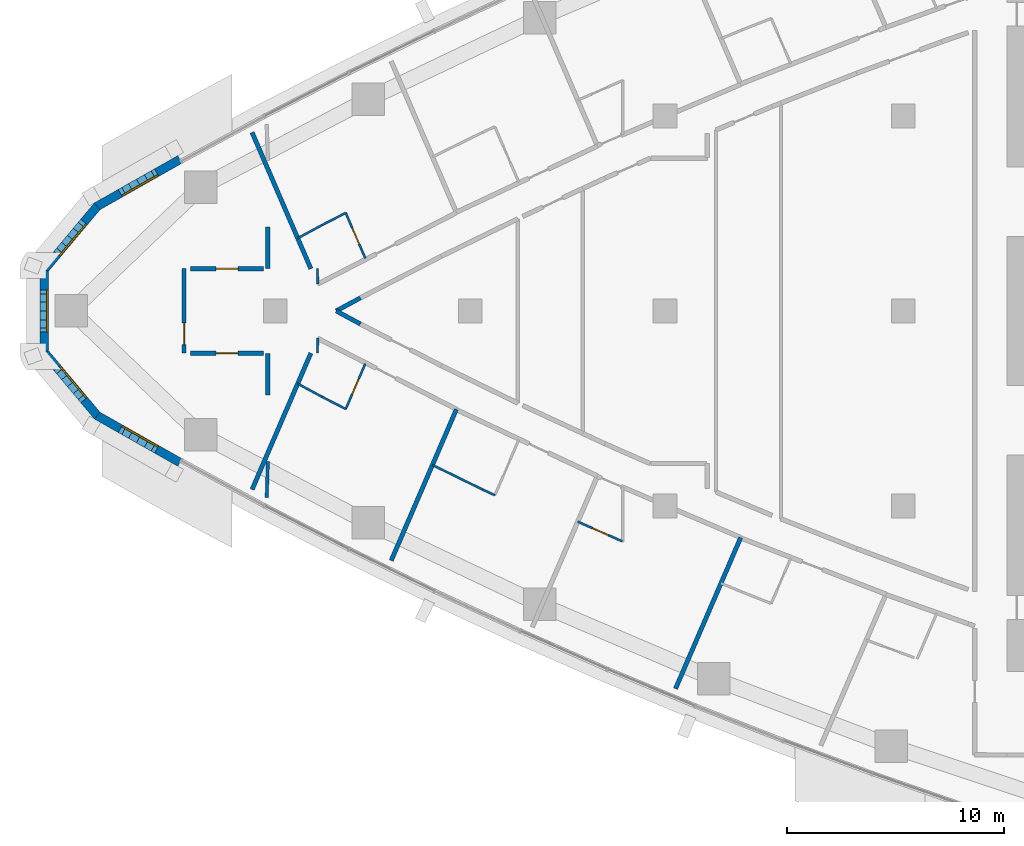
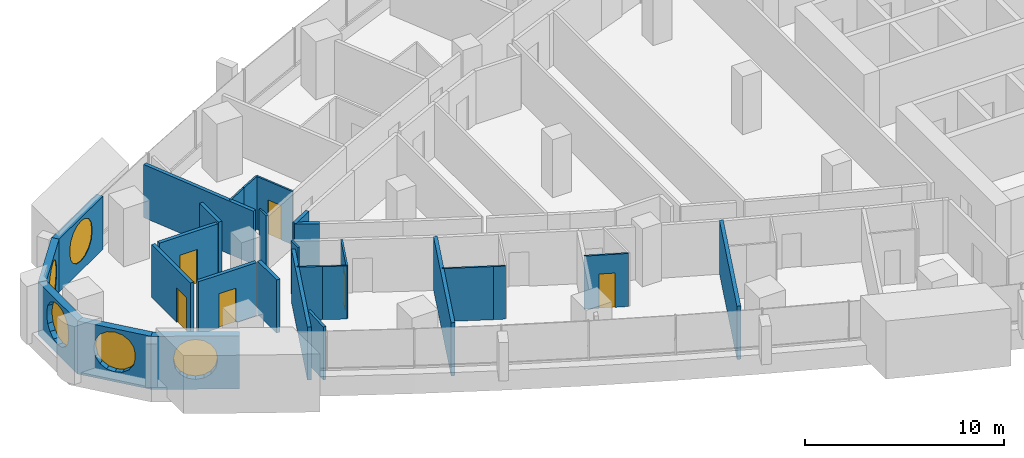
# One storey, part 8 of 17: 28 walls, 6 doors, 5 windows, 11 openings.
"""IFC4 building model written with IfcOpenShell, lengths in metres."""

from ifc_helpers import new_model, si_unit, direction, frame, frame_2d, origin, place, context, subcontext, project, spatial, polyline, rectangle, outline, extrude, material, layer, layer_set, type_object, element, fill, save


model = new_model("IFC4")

# Units and contexts
model_context = context("Model", 3, precision=1e-05, world=origin(), true_north=direction((0.0, 1.0)))
body_context = subcontext(model_context, "Body", "Model", "MODEL_VIEW")
ifc_project = project(units=[si_unit("LENGTHUNIT", "METRE"), si_unit("AREAUNIT", "SQUARE_METRE"), si_unit("VOLUMEUNIT", "CUBIC_METRE"), si_unit("PLANEANGLEUNIT", "RADIAN"), si_unit("MASSUNIT", "GRAM", prefix="KILO")], contexts=[model_context])

# Site, building, storey
site_placement = place(None, origin())
site = spatial("IfcSite", under=ifc_project, at=site_placement, CompositionType="ELEMENT")
building_placement = place(site_placement, origin())
building = spatial("IfcBuilding", under=site, at=building_placement, Name="Ostrand Prow Hotel Tower", CompositionType="ELEMENT")
storey_placement = place(building_placement, frame((0.0, 0.0, 140.85009765625)))
storey = spatial("IfcBuildingStorey", under=building, at=storey_placement, Name="L34", CompositionType="ELEMENT", Elevation=140.85009765625)

# Walls
ifc_material_1 = material(Name="Plasterboard partition")
ifc_layer_1 = layer(ifc_material_1, 0.10009765625)
ifc_layer_set_1 = layer_set([ifc_layer_1], Name="Plasterboard partition")
wall_type_1 = type_object("IfcWallType", Name="Partition 100 bathroom wall", PredefinedType="PARTITIONING", material=ifc_layer_set_1)
wall_1_placement = place(storey_placement, frame((17.03564453125, 3.3583984375, 0.0), z_axis=(0.0, 0.0, 1.0), x_axis=(0.879823588489, 0.475300382009, 0.0)))
element("IfcWall", 1, at=wall_1_placement, inside=storey, type_object=wall_type_1, Name="BATHROOM WALL", PredefinedType="PARTITIONING", context=body_context, shape_type="SweptSolid", body=[
    extrude(rectangle(XDim=1.27294921875, YDim=0.10009765625, at=frame_2d((0.636474609375, 0.0))), origin(), (0.0, 0.0, 1.0), 3.25),
])
wall_2_placement = place(storey_placement, frame((18.155517578125, 3.96337890625, 0.0), z_axis=(0.0, 0.0, 1.0), x_axis=(0.889106231322, 0.457700895154, 0.0)))
element("IfcWall", 2, at=wall_2_placement, inside=storey, type_object=wall_type_1, Name="BATHROOM WALL", PredefinedType="PARTITIONING", context=body_context, shape_type="SweptSolid", body=[
    extrude(rectangle(XDim=1.23486328125, YDim=0.10009765625, at=frame_2d((0.617431640625, 0.0))), origin(), (0.0, 0.0, 1.0), 3.25),
])

# Wall, opening, door
wall_3_placement = place(storey_placement, frame((19.253662109375, 4.528564453125, 0.0), z_axis=(0.0, 0.0, 1.0), x_axis=(0.395958457437, -0.9182684248, 0.0)))
wall_3 = element("IfcWall", 3, at=wall_3_placement, inside=storey, type_object=wall_type_1, Name="BATHROOM WALL", PredefinedType="PARTITIONING", context=body_context, shape_type="SweptSolid", body=[
    extrude(rectangle(XDim=2.281982421875, YDim=0.10009765625, at=frame_2d((1.14111328125, 0.0))), origin(), (0.0, 0.0, 1.0), 3.25),
])
opening_1_placement = place(wall_3_placement, frame((0.75, 0.0, 0.0)))
opening_1 = element("IfcOpeningElement", 4, at=opening_1_placement, cuts=wall_3, Name="Opening D2", PredefinedType="OPENING", context=body_context, shape_type="SweptSolid", body=[
    extrude(rectangle(XDim=0.800048828125, YDim=2.10009765625, at=frame_2d((0.39990234375, 1.050048828125))), frame((0.0, 0.06005859375, 0.0), z_axis=(0.0, -1.0, 0.0), x_axis=(1.0, 0.0, 0.0)), (0.0, 0.0, 1.0), 0.1201171875),
])
ifc_material_2 = material(Name="Timber door leaf", Category="wood")
door_type_1 = type_object("IfcDoorType", Name="Bathroom door 800", OperationType="SINGLE_SWING_LEFT", PredefinedType="DOOR", material=ifc_material_2)
door_1_placement = place(opening_1_placement, origin())
door_1 = element("IfcDoor", 5, at=door_1_placement, inside=storey, type_object=door_type_1, Name="DOOR", OperationType="SINGLE_SWING_LEFT", OverallHeight=2.10009765625, OverallWidth=0.800048828125, PredefinedType="DOOR", context=body_context, shape_type="SweptSolid", body=[
    extrude(rectangle(XDim=0.800048828125, YDim=2.10009765625, at=frame_2d((0.39990234375, 1.050048828125))), frame((0.0, 0.02490234375, 0.0), z_axis=(0.0, -1.0, 0.0), x_axis=(1.0, 0.0, 0.0)), (0.0, 0.0, 1.0), 0.050048828125),
])
fill(opening_1, door_1)

wall_4_placement = place(storey_placement, frame((20.1572265625, -2.43310546875, 0.0), z_axis=(0.0, 0.0, 1.0), x_axis=(-0.395958457437, -0.9182684248, 0.0)))
wall_4 = element("IfcWall", 6, at=wall_4_placement, inside=storey, type_object=wall_type_1, Name="BATHROOM WALL", PredefinedType="PARTITIONING", context=body_context, shape_type="SweptSolid", body=[
    extrude(rectangle(XDim=2.281982421875, YDim=0.10009765625, at=frame_2d((1.14111328125, 0.0))), origin(), (0.0, 0.0, 1.0), 3.25),
])
opening_2_placement = place(wall_4_placement, frame((0.75, 0.0, 0.0)))
opening_2 = element("IfcOpeningElement", 7, at=opening_2_placement, cuts=wall_4, Name="Opening D2", PredefinedType="OPENING", context=body_context, shape_type="SweptSolid", body=[
    extrude(rectangle(XDim=0.800048828125, YDim=2.10009765625, at=frame_2d((0.39990234375, 1.050048828125))), frame((0.0, 0.06005859375, 0.0), z_axis=(0.0, -1.0, 0.0), x_axis=(1.0, 0.0, 0.0)), (0.0, 0.0, 1.0), 0.1201171875),
])
door_2_placement = place(opening_2_placement, origin())
door_2 = element("IfcDoor", 8, at=door_2_placement, inside=storey, type_object=door_type_1, Name="DOOR", OperationType="SINGLE_SWING_LEFT", OverallHeight=2.10009765625, OverallWidth=0.800048828125, PredefinedType="DOOR", context=body_context, shape_type="SweptSolid", body=[
    extrude(rectangle(XDim=0.800048828125, YDim=2.10009765625, at=frame_2d((0.39990234375, 1.050048828125))), frame((0.0, 0.02490234375, 0.0), z_axis=(0.0, -1.0, 0.0), x_axis=(1.0, 0.0, 0.0)), (0.0, 0.0, 1.0), 0.050048828125),
])
fill(opening_2, door_2)

# Walls
wall_5_placement = place(storey_placement, frame((19.25341796875, -4.528564453125, 0.0), z_axis=(0.0, 0.0, 1.0), x_axis=(-0.889106231322, 0.457700895154, 0.0)))
element("IfcWall", 9, at=wall_5_placement, inside=storey, type_object=wall_type_1, Name="BATHROOM WALL", PredefinedType="PARTITIONING", context=body_context, shape_type="SweptSolid", body=[
    extrude(rectangle(XDim=1.23486328125, YDim=0.10009765625, at=frame_2d((0.617431640625, 0.0))), origin(), (0.0, 0.0, 1.0), 3.25),
])
wall_6_placement = place(storey_placement, frame((18.155517578125, -3.96337890625, 0.0), z_axis=(0.0, 0.0, 1.0), x_axis=(-0.879823588489, 0.475300382009, 0.0)))
element("IfcWall", 10, at=wall_6_placement, inside=storey, type_object=wall_type_1, Name="BATHROOM WALL", PredefinedType="PARTITIONING", context=body_context, shape_type="SweptSolid", body=[
    extrude(rectangle(XDim=1.27294921875, YDim=0.10009765625, at=frame_2d((0.636474609375, 0.0))), origin(), (0.0, 0.0, 1.0), 3.25),
])
wall_7_placement = place(storey_placement, frame((26.1396484375, -8.510009765625, 0.0), z_axis=(0.0, 0.0, 1.0), x_axis=(-0.906923333349, 0.421295700699, 0.0)))
element("IfcWall", 11, at=wall_7_placement, inside=storey, type_object=wall_type_1, Name="BATHROOM WALL", PredefinedType="PARTITIONING", context=body_context, shape_type="SweptSolid", body=[
    extrude(rectangle(XDim=0.622314453125, YDim=0.10009765625, at=frame_2d((0.31103515625, 0.0))), origin(), (0.0, 0.0, 1.0), 3.25),
])
wall_8_placement = place(storey_placement, frame((25.5751953125, -8.247802734375, 0.0), z_axis=(0.0, 0.0, 1.0), x_axis=(-0.89814200952, 0.439705504555, 0.0)))
element("IfcWall", 12, at=wall_8_placement, inside=storey, type_object=wall_type_1, Name="BATHROOM WALL", PredefinedType="PARTITIONING", context=body_context, shape_type="SweptSolid", body=[
    extrude(rectangle(XDim=2.580810546875, YDim=0.10009765625, at=frame_2d((1.29052734375, 0.0))), origin(), (0.0, 0.0, 1.0), 3.25),
])

# Wall, opening, door
wall_9_placement = place(storey_placement, frame((32.02783203125, -10.638427734375, 0.0), z_axis=(0.0, 0.0, 1.0), x_axis=(-0.915118086658, 0.403185921719, 0.0)))
wall_9 = element("IfcWall", 13, at=wall_9_placement, inside=storey, type_object=wall_type_1, Name="BATHROOM WALL", PredefinedType="PARTITIONING", context=body_context, shape_type="SweptSolid", body=[
    extrude(rectangle(XDim=2.24951171875, YDim=0.10009765625, at=frame_2d((1.124755859375, 0.0))), origin(), (0.0, 0.0, 1.0), 3.25),
])
opening_3_placement = place(wall_9_placement, frame((0.699951171875, 0.0, 0.0)))
opening_3 = element("IfcOpeningElement", 14, at=opening_3_placement, cuts=wall_9, Name="Opening D2", PredefinedType="OPENING", context=body_context, shape_type="SweptSolid", body=[
    extrude(rectangle(XDim=0.800048828125, YDim=2.10009765625, at=frame_2d((0.39990234375, 1.050048828125))), frame((0.0, 0.06005859375, 0.0), z_axis=(0.0, -1.0, 0.0), x_axis=(1.0, 0.0, 0.0)), (0.0, 0.0, 1.0), 0.1201171875),
])
door_3_placement = place(opening_3_placement, origin())
door_3 = element("IfcDoor", 15, at=door_3_placement, inside=storey, type_object=door_type_1, Name="DOOR", OperationType="SINGLE_SWING_LEFT", OverallHeight=2.10009765625, OverallWidth=0.800048828125, PredefinedType="DOOR", context=body_context, shape_type="SweptSolid", body=[
    extrude(rectangle(XDim=0.800048828125, YDim=2.10009765625, at=frame_2d((0.39990234375, 1.050048828125))), frame((0.0, 0.02490234375, 0.0), z_axis=(0.0, -1.0, 0.0), x_axis=(1.0, 0.0, 0.0)), (0.0, 0.0, 1.0), 0.050048828125),
])
fill(opening_3, door_3)

# Walls
for number, where, z_axis, x_axis, name in (
    (16, (17.959716796875, 1.248779296875, 0.0), (0.0, 0.0, 1.0), (-0.007291472831, 0.999973416859, 0.0), "BATHROOM WALL"),
    (17, (17.95458984375, -1.951904296875, 0.0), (0.0, 0.0, 1.0), (0.007291472831, 0.999973416859, 0.0), "BATHROOM WALL"),
):
    element("IfcWall", number, at=place(storey_placement, frame(where, z_axis=z_axis, x_axis=x_axis)), inside=storey, type_object=wall_type_1, Name=name, PredefinedType="PARTITIONING", context=body_context, shape_type="SweptSolid", body=[
        extrude(rectangle(XDim=0.703125, YDim=0.10009765625, at=frame_2d((0.3515625, 0.0))), origin(), (0.0, 0.0, 1.0), 3.25),
    ])
ifc_material_3 = material(Name="Plasterboard partition")
ifc_layer_2 = layer(ifc_material_3, 0.14990234375)
ifc_layer_set_2 = layer_set([ifc_layer_2], Name="Plasterboard partition")
wall_type_2 = type_object("IfcWallType", Name="Partition 150 room partition", PredefinedType="PARTITIONING", material=ifc_layer_set_2)
wall_10_placement = place(storey_placement, frame((15.65869140625, -6.955078125, 0.0), z_axis=(0.0, 0.0, 1.0), x_axis=(-0.033196927484, -0.999448830109, 0.0)))
element("IfcWall", 18, at=wall_10_placement, inside=storey, type_object=wall_type_2, Name="ROOM PARTITION", PredefinedType="PARTITIONING", context=body_context, shape_type="SweptSolid", body=[
    extrude(rectangle(XDim=1.65478515625, YDim=0.14990234375, at=frame_2d((0.827392578125, 0.0))), origin(), (0.0, 0.0, 1.0), 3.25),
])

# Wall, opening, door
ifc_material_4 = material(Name="Plasterboard partition")
ifc_layer_3 = layer(ifc_material_4, 0.199951171875)
ifc_layer_set_3 = layer_set([ifc_layer_3], Name="Plasterboard partition")
wall_type_3 = type_object("IfcWallType", Name="Partition 200 corridor wall", PredefinedType="PARTITIONING", material=ifc_layer_set_3)
wall_11_placement = place(storey_placement, frame((12.086669921875, 1.949951171875, 0.0), z_axis=(0.0, 0.0, 1.0), x_axis=(1.0, 0.0, 0.0)))
wall_11 = element("IfcWall", 19, at=wall_11_placement, inside=storey, type_object=wall_type_3, Name="CORRIDOR WALL", PredefinedType="PARTITIONING", context=body_context, shape_type="SweptSolid", body=[
    extrude(rectangle(XDim=3.3720703125, YDim=0.199951171875, at=frame_2d((1.68603515625, 0.0))), origin(), (0.0, 0.0, 1.0), 3.25),
])
opening_4_placement = place(wall_11_placement, frame((1.18603515625, 0.0, 0.0)))
opening_4 = element("IfcOpeningElement", 20, at=opening_4_placement, cuts=wall_11, Name="Opening D1", PredefinedType="OPENING", context=body_context, shape_type="SweptSolid", body=[
    extrude(rectangle(XDim=1.0, YDim=2.10009765625, at=frame_2d((0.5, 1.050048828125))), frame((0.0, 0.10986328125, 0.0), z_axis=(0.0, -1.0, 0.0), x_axis=(1.0, 0.0, 0.0)), (0.0, 0.0, 1.0), 0.219970703125),
])
ifc_material_5 = material(Name="Timber door leaf", Category="wood")
door_type_2 = type_object("IfcDoorType", Name="Guest room door 1000", OperationType="SINGLE_SWING_LEFT", PredefinedType="DOOR", material=ifc_material_5)
door_4_placement = place(opening_4_placement, origin())
door_4 = element("IfcDoor", 21, at=door_4_placement, inside=storey, type_object=door_type_2, Name="DOOR", OperationType="SINGLE_SWING_LEFT", OverallHeight=2.10009765625, OverallWidth=1.0, PredefinedType="DOOR", context=body_context, shape_type="SweptSolid", body=[
    extrude(rectangle(XDim=1.0, YDim=2.10009765625, at=frame_2d((0.5, 1.050048828125))), frame((0.0, 0.02490234375, 0.0), z_axis=(0.0, -1.0, 0.0), x_axis=(1.0, 0.0, 0.0)), (0.0, 0.0, 1.0), 0.050048828125),
])
fill(opening_4, door_4)

wall_12_placement = place(storey_placement, frame((12.086669921875, -1.949951171875, 0.0), z_axis=(0.0, 0.0, 1.0), x_axis=(1.0, 0.0, 0.0)))
wall_12 = element("IfcWall", 22, at=wall_12_placement, inside=storey, type_object=wall_type_3, Name="CORRIDOR WALL", PredefinedType="PARTITIONING", context=body_context, shape_type="SweptSolid", body=[
    extrude(rectangle(XDim=3.3720703125, YDim=0.199951171875, at=frame_2d((1.68603515625, 0.0))), origin(), (0.0, 0.0, 1.0), 3.25),
])
opening_5_placement = place(wall_12_placement, frame((1.18603515625, 0.0, 0.0)))
opening_5 = element("IfcOpeningElement", 23, at=opening_5_placement, cuts=wall_12, Name="Opening D1R", PredefinedType="OPENING", context=body_context, shape_type="SweptSolid", body=[
    extrude(rectangle(XDim=1.0, YDim=2.10009765625, at=frame_2d((0.5, 1.050048828125))), frame((0.0, 0.10986328125, 0.0), z_axis=(0.0, -1.0, 0.0), x_axis=(1.0, 0.0, 0.0)), (0.0, 0.0, 1.0), 0.219970703125),
])
ifc_material_6 = material(Name="Timber door leaf", Category="wood")
door_type_3 = type_object("IfcDoorType", Name="Guest room door 1000 right", OperationType="SINGLE_SWING_RIGHT", PredefinedType="DOOR", material=ifc_material_6)
door_5_placement = place(opening_5_placement, origin())
door_5 = element("IfcDoor", 24, at=door_5_placement, inside=storey, type_object=door_type_3, Name="DOOR", OperationType="SINGLE_SWING_RIGHT", OverallHeight=2.10009765625, OverallWidth=1.0, PredefinedType="DOOR", context=body_context, shape_type="SweptSolid", body=[
    extrude(rectangle(XDim=1.0, YDim=2.10009765625, at=frame_2d((0.5, 1.050048828125))), frame((0.0, 0.02490234375, 0.0), z_axis=(0.0, -1.0, 0.0), x_axis=(1.0, 0.0, 0.0)), (0.0, 0.0, 1.0), 0.050048828125),
])
fill(opening_5, door_5)

# Walls
for number, where, z_axis, x_axis, name in (
    (25, (19.928466796875, -0.60205078125, 0.0), (0.0, 0.0, 1.0), (-0.879832865766, 0.475283208538, 0.0), "CORRIDOR WALL"),
    (26, (18.81396484375, 0.0, 0.0), (0.0, 0.0, 1.0), (0.879832865766, 0.475283208538, 0.0), "CORRIDOR WALL"),
):
    element("IfcWall", number, at=place(storey_placement, frame(where, z_axis=z_axis, x_axis=x_axis)), inside=storey, type_object=wall_type_3, Name=name, PredefinedType="PARTITIONING", context=body_context, shape_type="SweptSolid", body=[
        extrude(rectangle(XDim=1.2666015625, YDim=0.199951171875, at=frame_2d((0.63330078125, 0.0))), origin(), (0.0, 0.0, 1.0), 3.25),
    ])
wall_13_placement = place(storey_placement, frame((15.65869140625, 3.869384765625, 0.0), z_axis=(0.0, 0.0, 1.0), x_axis=(0.0, -1.0, 0.0)))
element("IfcWall", 27, at=wall_13_placement, inside=storey, type_object=wall_type_3, Name="CORRIDOR WALL", PredefinedType="PARTITIONING", context=body_context, shape_type="SweptSolid", body=[
    extrude(rectangle(XDim=1.914306640625, YDim=0.199951171875, at=frame_2d((0.95703125, 0.0))), origin(), (0.0, 0.0, 1.0), 3.25),
])
wall_14_placement = place(storey_placement, frame((15.65869140625, -1.955078125, 0.0), z_axis=(0.0, 0.0, 1.0), x_axis=(0.0, -1.0, 0.0)))
element("IfcWall", 28, at=wall_14_placement, inside=storey, type_object=wall_type_3, Name="CORRIDOR WALL", PredefinedType="PARTITIONING", context=body_context, shape_type="SweptSolid", body=[
    extrude(rectangle(XDim=1.921630859375, YDim=0.199951171875, at=frame_2d((0.9609375, 0.0))), origin(), (0.0, 0.0, 1.0), 3.25),
])
ifc_material_7 = material(Name="Plasterboard partition")
ifc_layer_4 = layer(ifc_material_7, 0.199951171875)
ifc_layer_set_4 = layer_set([ifc_layer_4], Name="Plasterboard partition")
wall_type_4 = type_object("IfcWallType", Name="Partition 200 key partition", PredefinedType="PARTITIONING", material=ifc_layer_set_4)
for number, where, z_axis, x_axis, name in (
    (29, (17.64306640625, 1.949951171875, 0.0), (0.0, 0.0, 1.0), (-0.395994543879, 0.918252863441, 0.0), "KEY PARTITION"),
    (30, (14.9287109375, -8.244140625, 0.0), (0.0, 0.0, 1.0), (0.395994543879, 0.918252863441, 0.0), "KEY PARTITION"),
):
    element("IfcWall", number, at=place(storey_placement, frame(where, z_axis=z_axis, x_axis=x_axis)), inside=storey, type_object=wall_type_4, Name=name, PredefinedType="PARTITIONING", context=body_context, shape_type="SweptSolid", body=[
        extrude(rectangle(XDim=6.8544921875, YDim=0.199951171875, at=frame_2d((3.42724609375, 0.0))), origin(), (0.0, 0.0, 1.0), 3.25),
    ])
wall_15_placement = place(storey_placement, frame((21.3544921875, -11.52587890625, 0.0), z_axis=(0.0, 0.0, 1.0), x_axis=(0.395982367396, 0.918258114427, 0.0)))
element("IfcWall", 31, at=wall_15_placement, inside=storey, type_object=wall_type_4, Name="KEY PARTITION", PredefinedType="PARTITIONING", context=body_context, shape_type="SweptSolid", body=[
    extrude(rectangle(XDim=7.60888671875, YDim=0.199951171875, at=frame_2d((3.804443359375, 0.0))), origin(), (0.0, 0.0, 1.0), 3.25),
])
wall_16_placement = place(storey_placement, frame((34.485107421875, -17.441650390625, 0.0), z_axis=(0.0, 0.0, 1.0), x_axis=(0.396019423722, 0.918242133664, 0.0)))
element("IfcWall", 32, at=wall_16_placement, inside=storey, type_object=wall_type_4, Name="KEY PARTITION", PredefinedType="PARTITIONING", context=body_context, shape_type="SweptSolid", body=[
    extrude(rectangle(XDim=7.6005859375, YDim=0.199951171875, at=frame_2d((3.80029296875, 0.0))), origin(), (0.0, 0.0, 1.0), 3.25),
])

# Wall, opening, door
ifc_material_8 = material(Name="Plasterboard partition")
ifc_layer_5 = layer(ifc_material_8, 0.199951171875)
ifc_layer_set_5 = layer_set([ifc_layer_5], Name="Plasterboard partition")
wall_type_5 = type_object("IfcWallType", Name="Partition 200 lounge wall", PredefinedType="PARTITIONING", material=ifc_layer_set_5)
wall_17_placement = place(storey_placement, frame((11.78662109375, -1.949951171875, 0.0), z_axis=(0.0, 0.0, 1.0), x_axis=(0.0, 1.0, 0.0)))
wall_17 = element("IfcWall", 33, at=wall_17_placement, inside=storey, type_object=wall_type_5, Name="LOUNGE WALL", PredefinedType="PARTITIONING", context=body_context, shape_type="SweptSolid", body=[
    extrude(rectangle(XDim=3.89990234375, YDim=0.199951171875, at=frame_2d((1.949951171875, 0.0))), origin(), (0.0, 0.0, 1.0), 3.25),
])
opening_6_placement = place(wall_17_placement, frame((0.39990234375, 0.0, 0.0)))
opening_6 = element("IfcOpeningElement", 34, at=opening_6_placement, cuts=wall_17, Name="Opening D1", PredefinedType="OPENING", context=body_context, shape_type="SweptSolid", body=[
    extrude(rectangle(XDim=1.0, YDim=2.10009765625, at=frame_2d((0.5, 1.050048828125))), frame((0.0, 0.10986328125, 0.0), z_axis=(0.0, -1.0, 0.0), x_axis=(1.0, 0.0, 0.0)), (0.0, 0.0, 1.0), 0.219970703125),
])
door_6_placement = place(opening_6_placement, origin())
door_6 = element("IfcDoor", 35, at=door_6_placement, inside=storey, type_object=door_type_2, Name="DOOR", OperationType="SINGLE_SWING_LEFT", OverallHeight=2.10009765625, OverallWidth=1.0, PredefinedType="DOOR", context=body_context, shape_type="SweptSolid", body=[
    extrude(rectangle(XDim=1.0, YDim=2.10009765625, at=frame_2d((0.5, 1.050048828125))), frame((0.0, 0.02490234375, 0.0), z_axis=(0.0, -1.0, 0.0), x_axis=(1.0, 0.0, 0.0)), (0.0, 0.0, 1.0), 0.050048828125),
])
fill(opening_6, door_6)

# Wall, opening, window
ifc_material_9 = material(Name="Precast concrete C40/50", Category="concrete")
ifc_layer_6 = layer(ifc_material_9, 0.39990234375)
ifc_layer_set_6 = layer_set([ifc_layer_6], Name="Precast concrete C40/50")
wall_type_6 = type_object("IfcWallType", Name="Stone-faced precast wall 400 mm", PredefinedType="NOTDEFINED", material=ifc_layer_set_6)
wall_18_placement = place(storey_placement, frame((11.594482421875, 6.996826171875, 0.0), z_axis=(0.0, 0.0, 1.0), x_axis=(-0.870045255208, -0.492971859125, 0.0)))
wall_18 = element("IfcWall", 36, at=wall_18_placement, inside=storey, type_object=wall_type_6, Name="Stone-faced wall prow 1", PredefinedType="NOTDEFINED", context=body_context, shape_type="SweptSolid", body=[
    extrude(outline(polyline([(0.0, -0.199951171875), (4.424072265625, -0.199951171875), (4.351806640625, 0.199951171875), (0.0, 0.199951171875), (0.0, -0.199951171875)])), origin(), (0.0, 0.0, 1.0), 3.25),
])
opening_7_placement = place(wall_18_placement, frame((1.093994140625, 0.0, 0.60009765625)))
opening_7 = element("IfcOpeningElement", 37, at=opening_7_placement, cuts=wall_18, Name="Opening WP1", PredefinedType="OPENING", context=body_context, shape_type="SweptSolid", body=[
    extrude(outline(polyline([(0.0, 1.35009765625), (0.083740234375, 1.77099609375), (0.322265625, 2.127685546875), (0.678955078125, 2.3662109375), (1.10009765625, 2.449951171875), (1.52099609375, 2.3662109375), (1.877685546875, 2.127685546875), (2.1162109375, 1.77099609375), (2.199951171875, 1.35009765625), (2.199951171875, 1.10009765625), (2.1162109375, 0.678955078125), (1.877685546875, 0.322265625), (1.52099609375, 0.083740234375), (1.10009765625, 0.0), (0.678955078125, 0.083740234375), (0.322265625, 0.322265625), (0.083740234375, 0.678955078125), (0.0, 1.099853515625), (0.0, 1.35009765625)])), frame((0.0, 0.2099609375, 0.0), z_axis=(0.0, -1.0, 0.0), x_axis=(1.0, 0.0, 0.0)), (0.0, 0.0, 1.0), 0.419921875),
])
ifc_material_10 = material(Name="Insulated glass in bronze frame", Category="glass")
window_type = type_object("IfcWindowType", Name="Round-ended prow window 2200x2450", PartitioningType="SINGLE_PANEL", PredefinedType="WINDOW", material=ifc_material_10)
window_1_placement = place(opening_7_placement, origin())
window_1 = element("IfcWindow", 38, at=window_1_placement, inside=storey, type_object=window_type, Name="Window prow 1.1", OverallHeight=2.449951171875, OverallWidth=2.199951171875, PartitioningType="SINGLE_PANEL", PredefinedType="WINDOW", context=body_context, shape_type="SweptSolid", body=[
    extrude(outline(polyline([(0.0, 1.35009765625), (0.083740234375, 1.77099609375), (0.322265625, 2.127685546875), (0.678955078125, 2.3662109375), (1.10009765625, 2.449951171875), (1.52099609375, 2.3662109375), (1.877685546875, 2.127685546875), (2.1162109375, 1.77099609375), (2.199951171875, 1.35009765625), (2.199951171875, 1.10009765625), (2.1162109375, 0.678955078125), (1.877685546875, 0.322265625), (1.52099609375, 0.083740234375), (1.10009765625, 0.0), (0.678955078125, 0.083740234375), (0.322265625, 0.322265625), (0.083740234375, 0.678955078125), (0.0, 1.099853515625), (0.0, 1.35009765625)])), frame((0.0, 0.169921875, 0.0), z_axis=(0.0, -1.0, 0.0), x_axis=(1.0, 0.0, 0.0)), (0.0, 0.0, 1.0), 0.06005859375),
])
fill(opening_7, window_1)

wall_19_placement = place(storey_placement, frame((7.77685546875, 4.833740234375, 0.0), z_axis=(0.0, 0.0, 1.0), x_axis=(-0.641787918235, -0.766882173484, 0.0)))
wall_19 = element("IfcWall", 39, at=wall_19_placement, inside=storey, type_object=wall_type_6, Name="Stone-faced wall prow 2", PredefinedType="NOTDEFINED", context=body_context, shape_type="SweptSolid", body=[
    extrude(outline(polyline([(-0.0361328125, -0.199951171875), (3.887939453125, -0.199951171875), (3.742919921875, 0.199951171875), (0.0361328125, 0.199951171875), (-0.0361328125, -0.199951171875)])), origin(), (0.0, 0.0, 1.0), 3.25),
])
opening_8_placement = place(wall_19_placement, frame((0.8076171875, 0.0, 0.60009765625)))
opening_8 = element("IfcOpeningElement", 40, at=opening_8_placement, cuts=wall_19, Name="Opening WP1", PredefinedType="OPENING", context=body_context, shape_type="SweptSolid", body=[
    extrude(outline(polyline([(0.0, 1.35009765625), (0.083740234375, 1.77099609375), (0.322265625, 2.127685546875), (0.678955078125, 2.3662109375), (1.10009765625, 2.449951171875), (1.52099609375, 2.3662109375), (1.877685546875, 2.127685546875), (2.1162109375, 1.77099609375), (2.199951171875, 1.35009765625), (2.199951171875, 1.10009765625), (2.1162109375, 0.678955078125), (1.877685546875, 0.322265625), (1.52099609375, 0.083740234375), (1.10009765625, 0.0), (0.678955078125, 0.083740234375), (0.322265625, 0.322265625), (0.083740234375, 0.678955078125), (0.0, 1.099853515625), (0.0, 1.35009765625)])), frame((0.0, 0.2099609375, 0.0), z_axis=(0.0, -1.0, 0.0), x_axis=(1.0, 0.0, 0.0)), (0.0, 0.0, 1.0), 0.419921875),
])
window_2_placement = place(opening_8_placement, origin())
window_2 = element("IfcWindow", 41, at=window_2_placement, inside=storey, type_object=window_type, Name="Window prow 2.1", OverallHeight=2.449951171875, OverallWidth=2.199951171875, PartitioningType="SINGLE_PANEL", PredefinedType="WINDOW", context=body_context, shape_type="SweptSolid", body=[
    extrude(outline(polyline([(0.0, 1.35009765625), (0.083740234375, 1.77099609375), (0.322265625, 2.127685546875), (0.678955078125, 2.3662109375), (1.10009765625, 2.449951171875), (1.52099609375, 2.3662109375), (1.877685546875, 2.127685546875), (2.1162109375, 1.77099609375), (2.199951171875, 1.35009765625), (2.199951171875, 1.10009765625), (2.1162109375, 0.678955078125), (1.877685546875, 0.322265625), (1.52099609375, 0.083740234375), (1.10009765625, 0.0), (0.678955078125, 0.083740234375), (0.322265625, 0.322265625), (0.083740234375, 0.678955078125), (0.0, 1.099853515625), (0.0, 1.35009765625)])), frame((0.0, 0.169921875, 0.0), z_axis=(0.0, -1.0, 0.0), x_axis=(1.0, 0.0, 0.0)), (0.0, 0.0, 1.0), 0.06005859375),
])
fill(opening_8, window_2)

wall_20_placement = place(storey_placement, frame((5.328125, 1.90771484375, 0.0), z_axis=(0.0, 0.0, 1.0), x_axis=(0.0, -1.0, 0.0)))
wall_20 = element("IfcWall", 42, at=wall_20_placement, inside=storey, type_object=wall_type_6, Name="Stone-faced wall prow 3", PredefinedType="NOTDEFINED", context=body_context, shape_type="SweptSolid", body=[
    extrude(outline(polyline([(-0.072509765625, -0.199951171875), (3.887939453125, -0.199951171875), (3.742919921875, 0.199951171875), (0.072509765625, 0.199951171875), (-0.072509765625, -0.199951171875)])), origin(), (0.0, 0.0, 1.0), 3.25),
])
opening_9_placement = place(wall_20_placement, frame((0.8076171875, 0.0, 0.60009765625)))
opening_9 = element("IfcOpeningElement", 43, at=opening_9_placement, cuts=wall_20, Name="Opening WP1", PredefinedType="OPENING", context=body_context, shape_type="SweptSolid", body=[
    extrude(outline(polyline([(0.0, 1.35009765625), (0.083740234375, 1.77099609375), (0.322265625, 2.127685546875), (0.678955078125, 2.3662109375), (1.10009765625, 2.449951171875), (1.52099609375, 2.3662109375), (1.877685546875, 2.127685546875), (2.1162109375, 1.77099609375), (2.199951171875, 1.35009765625), (2.199951171875, 1.10009765625), (2.1162109375, 0.678955078125), (1.877685546875, 0.322265625), (1.52099609375, 0.083740234375), (1.10009765625, 0.0), (0.678955078125, 0.083740234375), (0.322265625, 0.322265625), (0.083740234375, 0.678955078125), (0.0, 1.099853515625), (0.0, 1.35009765625)])), frame((0.0, 0.2099609375, 0.0), z_axis=(0.0, -1.0, 0.0), x_axis=(1.0, 0.0, 0.0)), (0.0, 0.0, 1.0), 0.419921875),
])
window_3_placement = place(opening_9_placement, origin())
window_3 = element("IfcWindow", 44, at=window_3_placement, inside=storey, type_object=window_type, Name="Window prow 3.1", OverallHeight=2.449951171875, OverallWidth=2.199951171875, PartitioningType="SINGLE_PANEL", PredefinedType="WINDOW", context=body_context, shape_type="SweptSolid", body=[
    extrude(outline(polyline([(0.0, 1.35009765625), (0.083740234375, 1.77099609375), (0.322265625, 2.127685546875), (0.678955078125, 2.3662109375), (1.10009765625, 2.449951171875), (1.52099609375, 2.3662109375), (1.877685546875, 2.127685546875), (2.1162109375, 1.77099609375), (2.199951171875, 1.35009765625), (2.199951171875, 1.10009765625), (2.1162109375, 0.678955078125), (1.877685546875, 0.322265625), (1.52099609375, 0.083740234375), (1.10009765625, 0.0), (0.678955078125, 0.083740234375), (0.322265625, 0.322265625), (0.083740234375, 0.678955078125), (0.0, 1.099853515625), (0.0, 1.35009765625)])), frame((0.0, 0.169921875, 0.0), z_axis=(0.0, -1.0, 0.0), x_axis=(1.0, 0.0, 0.0)), (0.0, 0.0, 1.0), 0.06005859375),
])
fill(opening_9, window_3)

wall_21_placement = place(storey_placement, frame((5.328125, -1.90771484375, 0.0), z_axis=(0.0, 0.0, 1.0), x_axis=(0.641787918235, -0.766882173484, 0.0)))
wall_21 = element("IfcWall", 45, at=wall_21_placement, inside=storey, type_object=wall_type_6, Name="Stone-faced wall prow 4", PredefinedType="NOTDEFINED", context=body_context, shape_type="SweptSolid", body=[
    extrude(outline(polyline([(-0.072509765625, -0.199951171875), (3.8515625, -0.199951171875), (3.779296875, 0.199951171875), (0.072509765625, 0.199951171875), (-0.072509765625, -0.199951171875)])), origin(), (0.0, 0.0, 1.0), 3.25),
])
opening_10_placement = place(wall_21_placement, frame((0.8076171875, 0.0, 0.60009765625)))
opening_10 = element("IfcOpeningElement", 46, at=opening_10_placement, cuts=wall_21, Name="Opening WP1", PredefinedType="OPENING", context=body_context, shape_type="SweptSolid", body=[
    extrude(outline(polyline([(0.0, 1.35009765625), (0.083740234375, 1.77099609375), (0.322265625, 2.127685546875), (0.678955078125, 2.3662109375), (1.10009765625, 2.449951171875), (1.52099609375, 2.3662109375), (1.877685546875, 2.127685546875), (2.1162109375, 1.77099609375), (2.199951171875, 1.35009765625), (2.199951171875, 1.10009765625), (2.1162109375, 0.678955078125), (1.877685546875, 0.322265625), (1.52099609375, 0.083740234375), (1.10009765625, 0.0), (0.678955078125, 0.083740234375), (0.322265625, 0.322265625), (0.083740234375, 0.678955078125), (0.0, 1.099853515625), (0.0, 1.35009765625)])), frame((0.0, 0.2099609375, 0.0), z_axis=(0.0, -1.0, 0.0), x_axis=(1.0, 0.0, 0.0)), (0.0, 0.0, 1.0), 0.419921875),
])
window_4_placement = place(opening_10_placement, origin())
window_4 = element("IfcWindow", 47, at=window_4_placement, inside=storey, type_object=window_type, Name="Window prow 4.1", OverallHeight=2.449951171875, OverallWidth=2.199951171875, PartitioningType="SINGLE_PANEL", PredefinedType="WINDOW", context=body_context, shape_type="SweptSolid", body=[
    extrude(outline(polyline([(0.0, 1.35009765625), (0.083740234375, 1.77099609375), (0.322265625, 2.127685546875), (0.678955078125, 2.3662109375), (1.10009765625, 2.449951171875), (1.52099609375, 2.3662109375), (1.877685546875, 2.127685546875), (2.1162109375, 1.77099609375), (2.199951171875, 1.35009765625), (2.199951171875, 1.10009765625), (2.1162109375, 0.678955078125), (1.877685546875, 0.322265625), (1.52099609375, 0.083740234375), (1.10009765625, 0.0), (0.678955078125, 0.083740234375), (0.322265625, 0.322265625), (0.083740234375, 0.678955078125), (0.0, 1.099853515625), (0.0, 1.35009765625)])), frame((0.0, 0.169921875, 0.0), z_axis=(0.0, -1.0, 0.0), x_axis=(1.0, 0.0, 0.0)), (0.0, 0.0, 1.0), 0.06005859375),
])
fill(opening_10, window_4)

wall_22_placement = place(storey_placement, frame((7.77685546875, -4.833740234375, 0.0), z_axis=(0.0, 0.0, 1.0), x_axis=(0.870045255208, -0.492971859125, 0.0)))
wall_22 = element("IfcWall", 48, at=wall_22_placement, inside=storey, type_object=wall_type_6, Name="Stone-faced wall prow 5", PredefinedType="NOTDEFINED", context=body_context, shape_type="SweptSolid", body=[
    extrude(outline(polyline([(-0.0361328125, -0.199951171875), (4.387939453125, -0.199951171875), (4.387939453125, 0.199951171875), (0.0361328125, 0.199951171875), (-0.0361328125, -0.199951171875)])), origin(), (0.0, 0.0, 1.0), 3.25),
])
opening_11_placement = place(wall_22_placement, frame((1.093994140625, 0.0, 0.60009765625)))
opening_11 = element("IfcOpeningElement", 49, at=opening_11_placement, cuts=wall_22, Name="Opening WP1", PredefinedType="OPENING", context=body_context, shape_type="SweptSolid", body=[
    extrude(outline(polyline([(0.0, 1.35009765625), (0.083740234375, 1.77099609375), (0.322265625, 2.127685546875), (0.678955078125, 2.3662109375), (1.10009765625, 2.449951171875), (1.52099609375, 2.3662109375), (1.877685546875, 2.127685546875), (2.1162109375, 1.77099609375), (2.199951171875, 1.35009765625), (2.199951171875, 1.10009765625), (2.1162109375, 0.678955078125), (1.877685546875, 0.322265625), (1.52099609375, 0.083740234375), (1.10009765625, 0.0), (0.678955078125, 0.083740234375), (0.322265625, 0.322265625), (0.083740234375, 0.678955078125), (0.0, 1.099853515625), (0.0, 1.35009765625)])), frame((0.0, 0.2099609375, 0.0), z_axis=(0.0, -1.0, 0.0), x_axis=(1.0, 0.0, 0.0)), (0.0, 0.0, 1.0), 0.419921875),
])
window_5_placement = place(opening_11_placement, origin())
window_5 = element("IfcWindow", 50, at=window_5_placement, inside=storey, type_object=window_type, Name="Window prow 5.1", OverallHeight=2.449951171875, OverallWidth=2.199951171875, PartitioningType="SINGLE_PANEL", PredefinedType="WINDOW", context=body_context, shape_type="SweptSolid", body=[
    extrude(outline(polyline([(0.0, 1.35009765625), (0.083740234375, 1.77099609375), (0.322265625, 2.127685546875), (0.678955078125, 2.3662109375), (1.10009765625, 2.449951171875), (1.52099609375, 2.3662109375), (1.877685546875, 2.127685546875), (2.1162109375, 1.77099609375), (2.199951171875, 1.35009765625), (2.199951171875, 1.10009765625), (2.1162109375, 0.678955078125), (1.877685546875, 0.322265625), (1.52099609375, 0.083740234375), (1.10009765625, 0.0), (0.678955078125, 0.083740234375), (0.322265625, 0.322265625), (0.083740234375, 0.678955078125), (0.0, 1.099853515625), (0.0, 1.35009765625)])), frame((0.0, 0.169921875, 0.0), z_axis=(0.0, -1.0, 0.0), x_axis=(1.0, 0.0, 0.0)), (0.0, 0.0, 1.0), 0.06005859375),
])
fill(opening_11, window_5)

save(model, "model.ifc")
